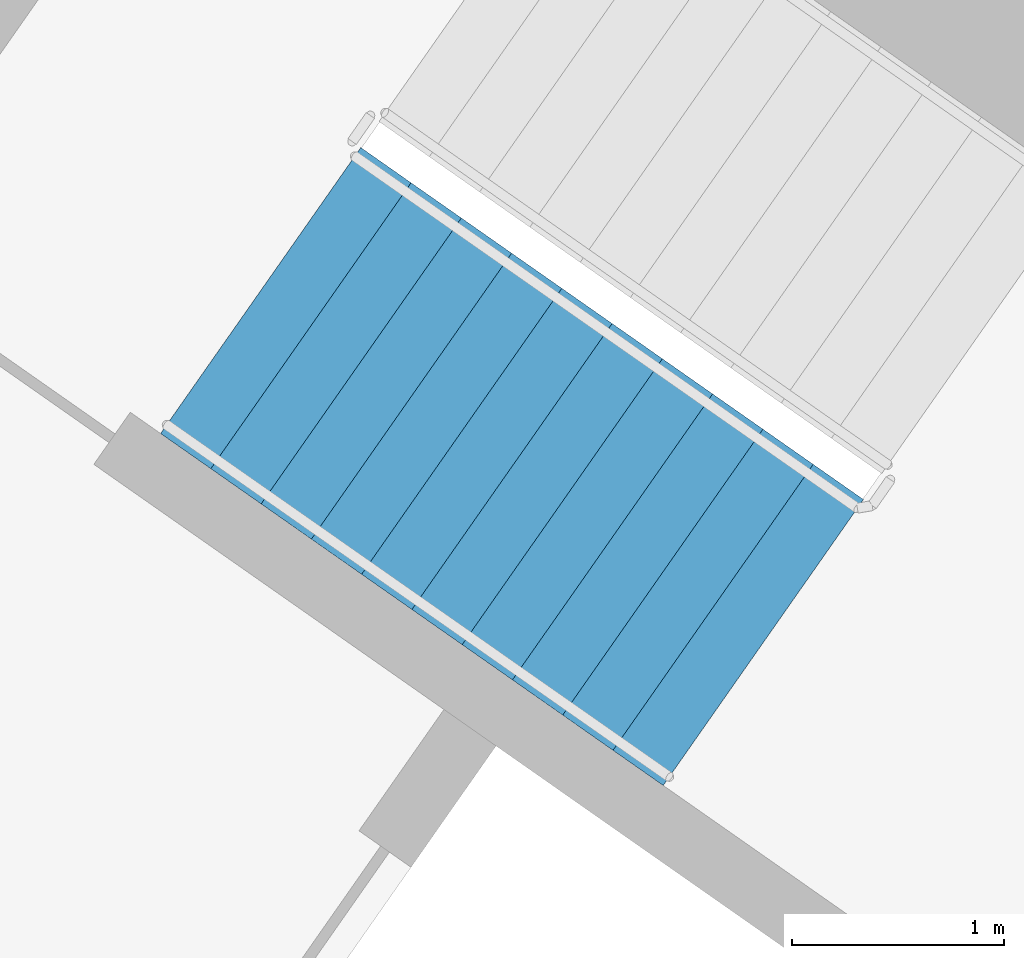
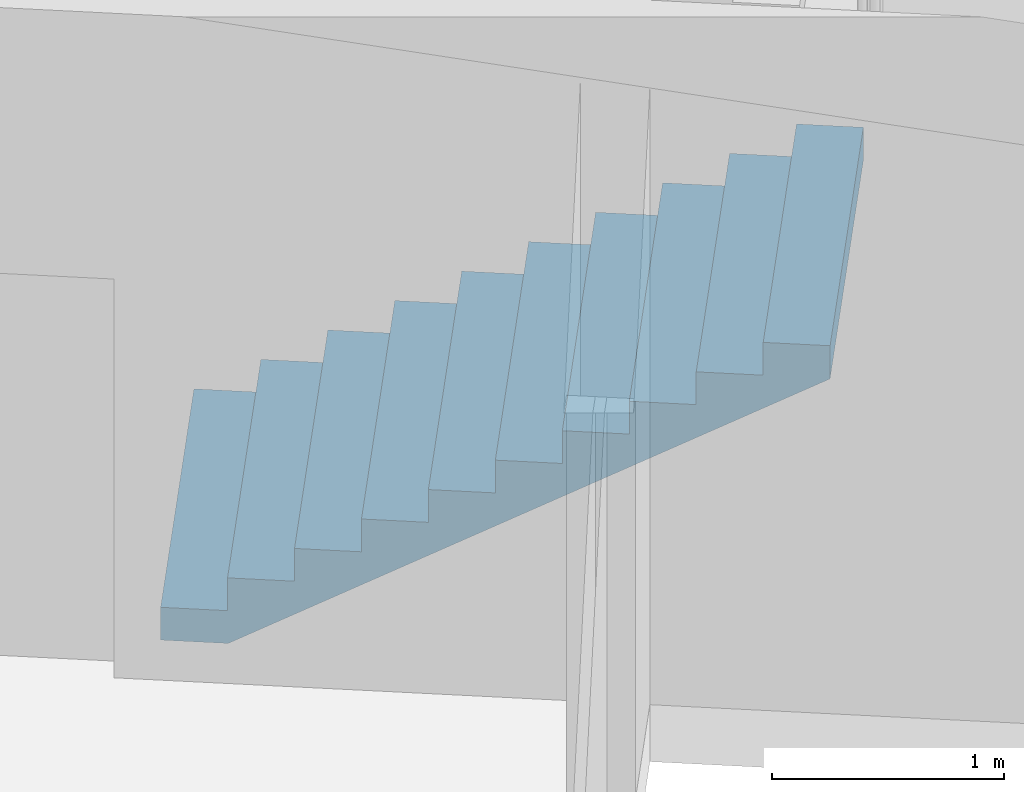
# One storey, part 12 of 29: 1 stair flight, 1 element without a shape of its own.
"""IFC4 building model written with IfcOpenShell, lengths in metres."""

from ifc_helpers import new_model, si_unit, direction, frame, origin, place, context, subcontext, project, spatial, faceted_brep, material, type_object, element, aggregate, save


model = new_model("IFC4")

# Units and contexts
model_context = context("Model", 3, precision=1e-05, world=origin(), true_north=direction((0.0, 1.0)))
body_context = subcontext(model_context, "Body", "Model", "MODEL_VIEW")
ifc_project = project(units=[si_unit("LENGTHUNIT", "METRE"), si_unit("AREAUNIT", "SQUARE_METRE"), si_unit("VOLUMEUNIT", "CUBIC_METRE"), si_unit("PLANEANGLEUNIT", "RADIAN"), si_unit("MASSUNIT", "GRAM", prefix="KILO")], contexts=[model_context])

# Site, building, storey
site_placement = place(None, origin())
site = spatial("IfcSite", under=ifc_project, at=site_placement, CompositionType="ELEMENT")
building_placement = place(site_placement, origin())
building = spatial("IfcBuilding", under=site, at=building_placement, Name="Qamariyya Broadcast Tower", CompositionType="ELEMENT")
storey_placement = place(building_placement, frame((0.0, 0.0, 106.300048828125)))
storey = spatial("IfcBuildingStorey", under=building, at=storey_placement, Name="L23", CompositionType="ELEMENT", Elevation=106.300048828125)

# Stair, stair flight
ifc_material = material(Name="Concrete C50/60", Category="concrete")
stair_type = type_object("IfcStairType", Name="Exit stair 22 risers of 173 mm", PredefinedType="HALF_TURN_STAIR", material=ifc_material)
stair_placement = place(storey_placement, origin())
stair = element("IfcStair", 1, at=stair_placement, inside=storey, type_object=stair_type, Name="L23 Stair W2", PredefinedType="HALF_TURN_STAIR")
stair_flight_type = type_object("IfcStairFlightType", Name="Exit stair flight 11 risers of 173 mm", PredefinedType="STRAIGHT", material=ifc_material)
stair_flight_placement = place(storey_placement, frame((-41.59130859375, -49.15966796875, 0.0), z_axis=(0.0, 0.0, 1.0), x_axis=(0.819152044289, -0.573576436351, 0.0)))
stair_flight = element("IfcStairFlight", 2, at=stair_flight_placement, type_object=stair_flight_type, Name="ST-W2 flight 1", NumberOfRisers=11, NumberOfTreads=10, PredefinedType="STRAIGHT", RiserHeight=0.172727273, TreadLength=0.29, context=body_context, shape_type="Brep", body=[
    faceted_brep([(0.0, 0.824951171875, 0.0), (0.0, 0.824951171875, 0.172607421875), (0.2900390625, 0.824951171875, 0.172607421875), (0.2900390625, 0.824951171875, 0.345458984375), (0.580078125, 0.824951171875, 0.345458984375), (0.580078125, 0.824951171875, 0.51806640625), (0.8701171875, 0.824951171875, 0.51806640625), (0.8701171875, 0.824951171875, 0.69091796875), (1.159912109375, 0.824951171875, 0.69091796875), (1.159912109375, 0.824951171875, 0.863525390625), (1.449951171875, 0.824951171875, 0.863525390625), (1.449951171875, 0.824951171875, 1.036376953125), (1.739990234375, 0.824951171875, 1.036376953125), (1.739990234375, 0.824951171875, 1.208984375), (2.030029296875, 0.824951171875, 1.208984375), (2.030029296875, 0.824951171875, 1.3818359375), (2.320068359375, 0.824951171875, 1.3818359375), (2.320068359375, 0.824951171875, 1.554443359375), (2.610107421875, 0.824951171875, 1.554443359375), (2.610107421875, 0.824951171875, 1.727294921875), (2.89990234375, 0.824951171875, 1.727294921875), (2.89990234375, 0.824951171875, 1.552734375), (0.29296875, 0.824951171875, 0.0), (0.29296875, -0.824951171875, 0.0), (2.89990234375, -0.824951171875, 1.552734375), (2.89990234375, -0.824951171875, 1.727294921875), (2.610107421875, -0.824951171875, 1.727294921875), (2.610107421875, -0.824951171875, 1.554443359375), (2.320068359375, -0.824951171875, 1.554443359375), (2.320068359375, -0.824951171875, 1.3818359375), (2.030029296875, -0.824951171875, 1.3818359375), (2.030029296875, -0.824951171875, 1.208984375), (1.739990234375, -0.824951171875, 1.208984375), (1.739990234375, -0.824951171875, 1.036376953125), (1.449951171875, -0.824951171875, 1.036376953125), (1.449951171875, -0.824951171875, 0.863525390625), (1.159912109375, -0.824951171875, 0.863525390625), (1.159912109375, -0.824951171875, 0.69091796875), (0.8701171875, -0.824951171875, 0.69091796875), (0.8701171875, -0.824951171875, 0.51806640625), (0.580078125, -0.824951171875, 0.51806640625), (0.580078125, -0.824951171875, 0.345458984375), (0.2900390625, -0.824951171875, 0.345458984375), (0.2900390625, -0.824951171875, 0.172607421875), (0.0, -0.824951171875, 0.172607421875), (0.0, -0.824951171875, 0.0), (0.0, 0.10009765625, 0.0), (0.0, 0.086669921875, 0.0), (0.0, 0.0732421875, 0.0), (0.0, 0.06005859375, 0.0), (0.0, 0.046630859375, 0.0), (0.0, 0.033447265625, 0.0), (0.0, 0.02001953125, 0.0), (0.0, 0.006591796875, 0.0), (0.0, -0.006591796875, 0.0), (0.0, -0.02001953125, 0.0), (0.0, -0.033447265625, 0.0), (0.0, -0.046630859375, 0.0), (0.0, -0.06005859375, 0.0), (0.0, -0.0732421875, 0.0), (0.0, -0.086669921875, 0.0), (0.0, -0.10009765625, 0.0), (0.0, -0.10009765625, 0.172607421875), (0.0, -0.086669921875, 0.172607421875), (0.0, -0.0732421875, 0.172607421875), (0.0, -0.06005859375, 0.172607421875), (0.0, -0.046630859375, 0.172607421875), (0.0, -0.033447265625, 0.172607421875), (0.0, -0.02001953125, 0.172607421875), (0.0, -0.006591796875, 0.172607421875), (0.0, 0.006591796875, 0.172607421875), (0.0, 0.02001953125, 0.172607421875), (0.0, 0.033447265625, 0.172607421875), (0.0, 0.046630859375, 0.172607421875), (0.0, 0.06005859375, 0.172607421875), (0.0, 0.0732421875, 0.172607421875), (0.0, 0.086669921875, 0.172607421875), (0.0, 0.10009765625, 0.172607421875), (0.2900390625, -0.10009765625, 0.172607421875), (0.2900390625, -0.086669921875, 0.172607421875), (0.2900390625, -0.0732421875, 0.172607421875), (0.2900390625, -0.06005859375, 0.172607421875), (0.2900390625, -0.046630859375, 0.172607421875), (0.2900390625, -0.033447265625, 0.172607421875), (0.2900390625, -0.02001953125, 0.172607421875), (0.2900390625, -0.006591796875, 0.172607421875), (0.2900390625, 0.006591796875, 0.172607421875), (0.2900390625, 0.02001953125, 0.172607421875), (0.2900390625, 0.033447265625, 0.172607421875), (0.2900390625, 0.046630859375, 0.172607421875), (0.2900390625, 0.06005859375, 0.172607421875), (0.2900390625, 0.0732421875, 0.172607421875), (0.2900390625, 0.086669921875, 0.172607421875), (0.2900390625, 0.10009765625, 0.172607421875), (0.2900390625, -0.10009765625, 0.345458984375), (0.2900390625, -0.086669921875, 0.345458984375), (0.2900390625, -0.0732421875, 0.345458984375), (0.2900390625, -0.06005859375, 0.345458984375), (0.2900390625, -0.046630859375, 0.345458984375), (0.2900390625, -0.033447265625, 0.345458984375), (0.2900390625, -0.02001953125, 0.345458984375), (0.2900390625, -0.006591796875, 0.345458984375), (0.2900390625, 0.006591796875, 0.345458984375), (0.2900390625, 0.02001953125, 0.345458984375), (0.2900390625, 0.033447265625, 0.345458984375), (0.2900390625, 0.046630859375, 0.345458984375), (0.2900390625, 0.06005859375, 0.345458984375), (0.2900390625, 0.0732421875, 0.345458984375), (0.2900390625, 0.086669921875, 0.345458984375), (0.2900390625, 0.10009765625, 0.345458984375), (0.580078125, -0.10009765625, 0.345458984375), (0.580078125, -0.086669921875, 0.345458984375), (0.580078125, -0.0732421875, 0.345458984375), (0.580078125, -0.06005859375, 0.345458984375), (0.580078125, -0.046630859375, 0.345458984375), (0.580078125, -0.033447265625, 0.345458984375), (0.580078125, -0.02001953125, 0.345458984375), (0.580078125, -0.006591796875, 0.345458984375), (0.580078125, 0.006591796875, 0.345458984375), (0.580078125, 0.02001953125, 0.345458984375), (0.580078125, 0.033447265625, 0.345458984375), (0.580078125, 0.046630859375, 0.345458984375), (0.580078125, 0.06005859375, 0.345458984375), (0.580078125, 0.0732421875, 0.345458984375), (0.580078125, 0.086669921875, 0.345458984375), (0.580078125, 0.10009765625, 0.345458984375), (0.580078125, -0.10009765625, 0.51806640625), (0.580078125, -0.086669921875, 0.51806640625), (0.580078125, -0.0732421875, 0.51806640625), (0.580078125, -0.06005859375, 0.51806640625), (0.580078125, -0.046630859375, 0.51806640625), (0.580078125, -0.033447265625, 0.51806640625), (0.580078125, -0.02001953125, 0.51806640625), (0.580078125, -0.006591796875, 0.51806640625), (0.580078125, 0.006591796875, 0.51806640625), (0.580078125, 0.02001953125, 0.51806640625), (0.580078125, 0.033447265625, 0.51806640625), (0.580078125, 0.046630859375, 0.51806640625), (0.580078125, 0.06005859375, 0.51806640625), (0.580078125, 0.0732421875, 0.51806640625), (0.580078125, 0.086669921875, 0.51806640625), (0.580078125, 0.10009765625, 0.51806640625), (0.8701171875, -0.10009765625, 0.51806640625), (0.8701171875, -0.086669921875, 0.51806640625), (0.8701171875, -0.0732421875, 0.51806640625), (0.8701171875, -0.06005859375, 0.51806640625), (0.8701171875, -0.046630859375, 0.51806640625), (0.8701171875, -0.033447265625, 0.51806640625), (0.8701171875, -0.02001953125, 0.51806640625), (0.8701171875, -0.006591796875, 0.51806640625), (0.8701171875, 0.006591796875, 0.51806640625), (0.8701171875, 0.02001953125, 0.51806640625), (0.8701171875, 0.033447265625, 0.51806640625), (0.8701171875, 0.046630859375, 0.51806640625), (0.8701171875, 0.06005859375, 0.51806640625), (0.8701171875, 0.0732421875, 0.51806640625), (0.8701171875, 0.086669921875, 0.51806640625), (0.8701171875, 0.10009765625, 0.51806640625), (0.8701171875, -0.10009765625, 0.69091796875), (0.8701171875, -0.086669921875, 0.69091796875), (0.8701171875, -0.0732421875, 0.69091796875), (0.8701171875, -0.06005859375, 0.69091796875), (0.8701171875, -0.046630859375, 0.69091796875), (0.8701171875, -0.033447265625, 0.69091796875), (0.8701171875, -0.02001953125, 0.69091796875), (0.8701171875, -0.006591796875, 0.69091796875), (0.8701171875, 0.006591796875, 0.69091796875), (0.8701171875, 0.02001953125, 0.69091796875), (0.8701171875, 0.033447265625, 0.69091796875), (0.8701171875, 0.046630859375, 0.69091796875), (0.8701171875, 0.06005859375, 0.69091796875), (0.8701171875, 0.0732421875, 0.69091796875), (0.8701171875, 0.086669921875, 0.69091796875), (0.8701171875, 0.10009765625, 0.69091796875), (1.159912109375, -0.10009765625, 0.69091796875), (1.159912109375, -0.086669921875, 0.69091796875), (1.159912109375, -0.0732421875, 0.69091796875), (1.159912109375, -0.06005859375, 0.69091796875), (1.159912109375, -0.046630859375, 0.69091796875), (1.159912109375, -0.033447265625, 0.69091796875), (1.159912109375, -0.02001953125, 0.69091796875), (1.159912109375, -0.006591796875, 0.69091796875), (1.159912109375, 0.006591796875, 0.69091796875), (1.159912109375, 0.02001953125, 0.69091796875), (1.159912109375, 0.033447265625, 0.69091796875), (1.159912109375, 0.046630859375, 0.69091796875), (1.159912109375, 0.06005859375, 0.69091796875), (1.159912109375, 0.0732421875, 0.69091796875), (1.159912109375, 0.086669921875, 0.69091796875), (1.159912109375, 0.10009765625, 0.69091796875), (1.159912109375, -0.10009765625, 0.863525390625), (1.159912109375, -0.086669921875, 0.863525390625), (1.159912109375, -0.0732421875, 0.863525390625), (1.159912109375, -0.06005859375, 0.863525390625), (1.159912109375, -0.046630859375, 0.863525390625), (1.159912109375, -0.033447265625, 0.863525390625), (1.159912109375, -0.02001953125, 0.863525390625), (1.159912109375, -0.006591796875, 0.863525390625), (1.159912109375, 0.006591796875, 0.863525390625), (1.159912109375, 0.02001953125, 0.863525390625), (1.159912109375, 0.033447265625, 0.863525390625), (1.159912109375, 0.046630859375, 0.863525390625), (1.159912109375, 0.06005859375, 0.863525390625), (1.159912109375, 0.0732421875, 0.863525390625), (1.159912109375, 0.086669921875, 0.863525390625), (1.159912109375, 0.10009765625, 0.863525390625), (1.449951171875, -0.10009765625, 0.863525390625), (1.449951171875, -0.086669921875, 0.863525390625), (1.449951171875, -0.0732421875, 0.863525390625), (1.449951171875, -0.06005859375, 0.863525390625), (1.449951171875, -0.046630859375, 0.863525390625), (1.449951171875, -0.033447265625, 0.863525390625), (1.449951171875, -0.02001953125, 0.863525390625), (1.449951171875, -0.006591796875, 0.863525390625), (1.449951171875, 0.006591796875, 0.863525390625), (1.449951171875, 0.02001953125, 0.863525390625), (1.449951171875, 0.033447265625, 0.863525390625), (1.449951171875, 0.046630859375, 0.863525390625), (1.449951171875, 0.06005859375, 0.863525390625), (1.449951171875, 0.0732421875, 0.863525390625), (1.449951171875, 0.086669921875, 0.863525390625), (1.449951171875, 0.10009765625, 0.863525390625), (1.449951171875, -0.10009765625, 1.036376953125), (1.449951171875, -0.086669921875, 1.036376953125), (1.449951171875, -0.0732421875, 1.036376953125), (1.449951171875, -0.06005859375, 1.036376953125), (1.449951171875, -0.046630859375, 1.036376953125), (1.449951171875, -0.033447265625, 1.036376953125), (1.449951171875, -0.02001953125, 1.036376953125), (1.449951171875, -0.006591796875, 1.036376953125), (1.449951171875, 0.006591796875, 1.036376953125), (1.449951171875, 0.02001953125, 1.036376953125), (1.449951171875, 0.033447265625, 1.036376953125), (1.449951171875, 0.046630859375, 1.036376953125), (1.449951171875, 0.06005859375, 1.036376953125), (1.449951171875, 0.0732421875, 1.036376953125), (1.449951171875, 0.086669921875, 1.036376953125), (1.449951171875, 0.10009765625, 1.036376953125), (1.739990234375, -0.10009765625, 1.036376953125), (1.739990234375, -0.086669921875, 1.036376953125), (1.739990234375, -0.0732421875, 1.036376953125), (1.739990234375, -0.06005859375, 1.036376953125), (1.739990234375, -0.046630859375, 1.036376953125), (1.739990234375, -0.033447265625, 1.036376953125), (1.739990234375, -0.02001953125, 1.036376953125), (1.739990234375, -0.006591796875, 1.036376953125), (1.739990234375, 0.006591796875, 1.036376953125), (1.739990234375, 0.02001953125, 1.036376953125), (1.739990234375, 0.033447265625, 1.036376953125), (1.739990234375, 0.046630859375, 1.036376953125), (1.739990234375, 0.06005859375, 1.036376953125), (1.739990234375, 0.0732421875, 1.036376953125), (1.739990234375, 0.086669921875, 1.036376953125), (1.739990234375, 0.10009765625, 1.036376953125), (1.739990234375, -0.10009765625, 1.208984375), (1.739990234375, -0.086669921875, 1.208984375), (1.739990234375, -0.0732421875, 1.208984375), (1.739990234375, -0.06005859375, 1.208984375), (1.739990234375, -0.046630859375, 1.208984375), (1.739990234375, -0.033447265625, 1.208984375), (1.739990234375, -0.02001953125, 1.208984375), (1.739990234375, -0.006591796875, 1.208984375), (1.739990234375, 0.006591796875, 1.208984375), (1.739990234375, 0.02001953125, 1.208984375), (1.739990234375, 0.033447265625, 1.208984375), (1.739990234375, 0.046630859375, 1.208984375), (1.739990234375, 0.06005859375, 1.208984375), (1.739990234375, 0.0732421875, 1.208984375), (1.739990234375, 0.086669921875, 1.208984375), (1.739990234375, 0.10009765625, 1.208984375), (2.030029296875, -0.10009765625, 1.208984375), (2.030029296875, -0.086669921875, 1.208984375), (2.030029296875, -0.0732421875, 1.208984375), (2.030029296875, -0.06005859375, 1.208984375), (2.030029296875, -0.046630859375, 1.208984375), (2.030029296875, -0.033447265625, 1.208984375), (2.030029296875, -0.02001953125, 1.208984375), (2.030029296875, -0.006591796875, 1.208984375), (2.030029296875, 0.006591796875, 1.208984375), (2.030029296875, 0.02001953125, 1.208984375), (2.030029296875, 0.033447265625, 1.208984375), (2.030029296875, 0.046630859375, 1.208984375), (2.030029296875, 0.06005859375, 1.208984375), (2.030029296875, 0.0732421875, 1.208984375), (2.030029296875, 0.086669921875, 1.208984375), (2.030029296875, 0.10009765625, 1.208984375), (2.030029296875, -0.10009765625, 1.3818359375), (2.030029296875, -0.086669921875, 1.3818359375), (2.030029296875, -0.0732421875, 1.3818359375), (2.030029296875, -0.06005859375, 1.3818359375), (2.030029296875, -0.046630859375, 1.3818359375), (2.030029296875, -0.033447265625, 1.3818359375), (2.030029296875, -0.02001953125, 1.3818359375), (2.030029296875, -0.006591796875, 1.3818359375), (2.030029296875, 0.006591796875, 1.3818359375), (2.030029296875, 0.02001953125, 1.3818359375), (2.030029296875, 0.033447265625, 1.3818359375), (2.030029296875, 0.046630859375, 1.3818359375), (2.030029296875, 0.06005859375, 1.3818359375), (2.030029296875, 0.0732421875, 1.3818359375), (2.030029296875, 0.086669921875, 1.3818359375), (2.030029296875, 0.10009765625, 1.3818359375), (2.320068359375, -0.10009765625, 1.3818359375), (2.320068359375, -0.086669921875, 1.3818359375), (2.320068359375, -0.0732421875, 1.3818359375), (2.320068359375, -0.06005859375, 1.3818359375), (2.320068359375, -0.046630859375, 1.3818359375), (2.320068359375, -0.033447265625, 1.3818359375), (2.320068359375, -0.02001953125, 1.3818359375), (2.320068359375, -0.006591796875, 1.3818359375), (2.320068359375, 0.006591796875, 1.3818359375), (2.320068359375, 0.02001953125, 1.3818359375), (2.320068359375, 0.033447265625, 1.3818359375), (2.320068359375, 0.046630859375, 1.3818359375), (2.320068359375, 0.06005859375, 1.3818359375), (2.320068359375, 0.0732421875, 1.3818359375), (2.320068359375, 0.086669921875, 1.3818359375), (2.320068359375, 0.10009765625, 1.3818359375), (2.320068359375, -0.10009765625, 1.554443359375), (2.320068359375, -0.086669921875, 1.554443359375), (2.320068359375, -0.0732421875, 1.554443359375), (2.320068359375, -0.06005859375, 1.554443359375), (2.320068359375, -0.046630859375, 1.554443359375), (2.320068359375, -0.033447265625, 1.554443359375), (2.320068359375, -0.02001953125, 1.554443359375), (2.320068359375, -0.006591796875, 1.554443359375), (2.320068359375, 0.006591796875, 1.554443359375), (2.320068359375, 0.02001953125, 1.554443359375), (2.320068359375, 0.033447265625, 1.554443359375), (2.320068359375, 0.046630859375, 1.554443359375), (2.320068359375, 0.06005859375, 1.554443359375), (2.320068359375, 0.0732421875, 1.554443359375), (2.320068359375, 0.086669921875, 1.554443359375), (2.320068359375, 0.10009765625, 1.554443359375), (2.610107421875, -0.10009765625, 1.554443359375), (2.610107421875, -0.086669921875, 1.554443359375), (2.610107421875, -0.0732421875, 1.554443359375), (2.610107421875, -0.06005859375, 1.554443359375), (2.610107421875, -0.046630859375, 1.554443359375), (2.610107421875, -0.033447265625, 1.554443359375), (2.610107421875, -0.02001953125, 1.554443359375), (2.610107421875, -0.006591796875, 1.554443359375), (2.610107421875, 0.006591796875, 1.554443359375), (2.610107421875, 0.02001953125, 1.554443359375), (2.610107421875, 0.033447265625, 1.554443359375), (2.610107421875, 0.046630859375, 1.554443359375), (2.610107421875, 0.06005859375, 1.554443359375), (2.610107421875, 0.0732421875, 1.554443359375), (2.610107421875, 0.086669921875, 1.554443359375), (2.610107421875, 0.10009765625, 1.554443359375), (2.610107421875, -0.10009765625, 1.727294921875), (2.610107421875, -0.086669921875, 1.727294921875), (2.610107421875, -0.0732421875, 1.727294921875), (2.610107421875, -0.06005859375, 1.727294921875), (2.610107421875, -0.046630859375, 1.727294921875), (2.610107421875, -0.033447265625, 1.727294921875), (2.610107421875, -0.02001953125, 1.727294921875), (2.610107421875, -0.006591796875, 1.727294921875), (2.610107421875, 0.006591796875, 1.727294921875), (2.610107421875, 0.02001953125, 1.727294921875), (2.610107421875, 0.033447265625, 1.727294921875), (2.610107421875, 0.046630859375, 1.727294921875), (2.610107421875, 0.06005859375, 1.727294921875), (2.610107421875, 0.0732421875, 1.727294921875), (2.610107421875, 0.086669921875, 1.727294921875), (2.610107421875, 0.10009765625, 1.727294921875), (2.89990234375, -0.10009765625, 1.727294921875), (2.89990234375, -0.086669921875, 1.727294921875), (2.89990234375, -0.0732421875, 1.727294921875), (2.89990234375, -0.06005859375, 1.727294921875), (2.89990234375, -0.046630859375, 1.727294921875), (2.89990234375, -0.033447265625, 1.727294921875), (2.89990234375, -0.02001953125, 1.727294921875), (2.89990234375, -0.006591796875, 1.727294921875), (2.89990234375, 0.006591796875, 1.727294921875), (2.89990234375, 0.02001953125, 1.727294921875), (2.89990234375, 0.033447265625, 1.727294921875), (2.89990234375, 0.046630859375, 1.727294921875), (2.89990234375, 0.06005859375, 1.727294921875), (2.89990234375, 0.0732421875, 1.727294921875), (2.89990234375, 0.086669921875, 1.727294921875), (2.89990234375, 0.10009765625, 1.727294921875), (2.89990234375, -0.10009765625, 1.552734375), (2.89990234375, -0.086669921875, 1.552734375), (2.89990234375, -0.0732421875, 1.552734375), (2.89990234375, -0.06005859375, 1.552734375), (2.89990234375, -0.046630859375, 1.552734375), (2.89990234375, -0.033447265625, 1.552734375), (2.89990234375, -0.02001953125, 1.552734375), (2.89990234375, -0.006591796875, 1.552734375), (2.89990234375, 0.006591796875, 1.552734375), (2.89990234375, 0.02001953125, 1.552734375), (2.89990234375, 0.033447265625, 1.552734375), (2.89990234375, 0.046630859375, 1.552734375), (2.89990234375, 0.06005859375, 1.552734375), (2.89990234375, 0.0732421875, 1.552734375), (2.89990234375, 0.086669921875, 1.552734375), (2.89990234375, 0.10009765625, 1.552734375), (0.29296875, -0.10009765625, 0.0), (0.29296875, -0.086669921875, 0.0), (0.29296875, -0.0732421875, 0.0), (0.29296875, -0.06005859375, 0.0), (0.29296875, -0.046630859375, 0.0), (0.29296875, -0.033447265625, 0.0), (0.29296875, -0.02001953125, 0.0), (0.29296875, -0.006591796875, 0.0), (0.29296875, 0.006591796875, 0.0), (0.29296875, 0.02001953125, 0.0), (0.29296875, 0.033447265625, 0.0), (0.29296875, 0.046630859375, 0.0), (0.29296875, 0.06005859375, 0.0), (0.29296875, 0.0732421875, 0.0), (0.29296875, 0.086669921875, 0.0), (0.29296875, 0.10009765625, 0.0)], [[[0, 1, 2, 3, 4, 5, 6, 7, 8, 9, 10, 11, 12, 13, 14, 15, 16, 17, 18, 19, 20, 21, 22]], [[23, 24, 25, 26, 27, 28, 29, 30, 31, 32, 33, 34, 35, 36, 37, 38, 39, 40, 41, 42, 43, 44, 45]], [[0, 46, 47, 48, 49, 50, 51, 52, 53, 54, 55, 56, 57, 58, 59, 60, 61, 45, 44, 62, 63, 64, 65, 66, 67, 68, 69, 70, 71, 72, 73, 74, 75, 76, 77, 1]], [[1, 77, 76, 75, 74, 73, 72, 71, 70, 69, 68, 67, 66, 65, 64, 63, 62, 44, 43, 78, 79, 80, 81, 82, 83, 84, 85, 86, 87, 88, 89, 90, 91, 92, 93, 2]], [[2, 93, 92, 91, 90, 89, 88, 87, 86, 85, 84, 83, 82, 81, 80, 79, 78, 43, 42, 94, 95, 96, 97, 98, 99, 100, 101, 102, 103, 104, 105, 106, 107, 108, 109, 3]], [[3, 109, 108, 107, 106, 105, 104, 103, 102, 101, 100, 99, 98, 97, 96, 95, 94, 42, 41, 110, 111, 112, 113, 114, 115, 116, 117, 118, 119, 120, 121, 122, 123, 124, 125, 4]], [[4, 125, 124, 123, 122, 121, 120, 119, 118, 117, 116, 115, 114, 113, 112, 111, 110, 41, 40, 126, 127, 128, 129, 130, 131, 132, 133, 134, 135, 136, 137, 138, 139, 140, 141, 5]], [[5, 141, 140, 139, 138, 137, 136, 135, 134, 133, 132, 131, 130, 129, 128, 127, 126, 40, 39, 142, 143, 144, 145, 146, 147, 148, 149, 150, 151, 152, 153, 154, 155, 156, 157, 6]], [[6, 157, 156, 155, 154, 153, 152, 151, 150, 149, 148, 147, 146, 145, 144, 143, 142, 39, 38, 158, 159, 160, 161, 162, 163, 164, 165, 166, 167, 168, 169, 170, 171, 172, 173, 7]], [[7, 173, 172, 171, 170, 169, 168, 167, 166, 165, 164, 163, 162, 161, 160, 159, 158, 38, 37, 174, 175, 176, 177, 178, 179, 180, 181, 182, 183, 184, 185, 186, 187, 188, 189, 8]], [[8, 189, 188, 187, 186, 185, 184, 183, 182, 181, 180, 179, 178, 177, 176, 175, 174, 37, 36, 190, 191, 192, 193, 194, 195, 196, 197, 198, 199, 200, 201, 202, 203, 204, 205, 9]], [[9, 205, 204, 203, 202, 201, 200, 199, 198, 197, 196, 195, 194, 193, 192, 191, 190, 36, 35, 206, 207, 208, 209, 210, 211, 212, 213, 214, 215, 216, 217, 218, 219, 220, 221, 10]], [[10, 221, 220, 219, 218, 217, 216, 215, 214, 213, 212, 211, 210, 209, 208, 207, 206, 35, 34, 222, 223, 224, 225, 226, 227, 228, 229, 230, 231, 232, 233, 234, 235, 236, 237, 11]], [[11, 237, 236, 235, 234, 233, 232, 231, 230, 229, 228, 227, 226, 225, 224, 223, 222, 34, 33, 238, 239, 240, 241, 242, 243, 244, 245, 246, 247, 248, 249, 250, 251, 252, 253, 12]], [[12, 253, 252, 251, 250, 249, 248, 247, 246, 245, 244, 243, 242, 241, 240, 239, 238, 33, 32, 254, 255, 256, 257, 258, 259, 260, 261, 262, 263, 264, 265, 266, 267, 268, 269, 13]], [[13, 269, 268, 267, 266, 265, 264, 263, 262, 261, 260, 259, 258, 257, 256, 255, 254, 32, 31, 270, 271, 272, 273, 274, 275, 276, 277, 278, 279, 280, 281, 282, 283, 284, 285, 14]], [[14, 285, 284, 283, 282, 281, 280, 279, 278, 277, 276, 275, 274, 273, 272, 271, 270, 31, 30, 286, 287, 288, 289, 290, 291, 292, 293, 294, 295, 296, 297, 298, 299, 300, 301, 15]], [[15, 301, 300, 299, 298, 297, 296, 295, 294, 293, 292, 291, 290, 289, 288, 287, 286, 30, 29, 302, 303, 304, 305, 306, 307, 308, 309, 310, 311, 312, 313, 314, 315, 316, 317, 16]], [[16, 317, 316, 315, 314, 313, 312, 311, 310, 309, 308, 307, 306, 305, 304, 303, 302, 29, 28, 318, 319, 320, 321, 322, 323, 324, 325, 326, 327, 328, 329, 330, 331, 332, 333, 17]], [[17, 333, 332, 331, 330, 329, 328, 327, 326, 325, 324, 323, 322, 321, 320, 319, 318, 28, 27, 334, 335, 336, 337, 338, 339, 340, 341, 342, 343, 344, 345, 346, 347, 348, 349, 18]], [[18, 349, 348, 347, 346, 345, 344, 343, 342, 341, 340, 339, 338, 337, 336, 335, 334, 27, 26, 350, 351, 352, 353, 354, 355, 356, 357, 358, 359, 360, 361, 362, 363, 364, 365, 19]], [[19, 365, 364, 363, 362, 361, 360, 359, 358, 357, 356, 355, 354, 353, 352, 351, 350, 26, 25, 366, 367, 368, 369, 370, 371, 372, 373, 374, 375, 376, 377, 378, 379, 380, 381, 20]], [[20, 381, 380, 379, 378, 377, 376, 375, 374, 373, 372, 371, 370, 369, 368, 367, 366, 25, 24, 382, 383, 384, 385, 386, 387, 388, 389, 390, 391, 392, 393, 394, 395, 396, 397, 21]], [[21, 397, 396, 395, 394, 393, 392, 391, 390, 389, 388, 387, 386, 385, 384, 383, 382, 24, 23, 398, 399, 400, 401, 402, 403, 404, 405, 406, 407, 408, 409, 410, 411, 412, 413, 22]], [[22, 413, 412, 411, 410, 409, 408, 407, 406, 405, 404, 403, 402, 401, 400, 399, 398, 23, 45, 61, 60, 59, 58, 57, 56, 55, 54, 53, 52, 51, 50, 49, 48, 47, 46, 0]]]),
])
aggregate(stair, [stair_flight])

save(model, "model.ifc")
